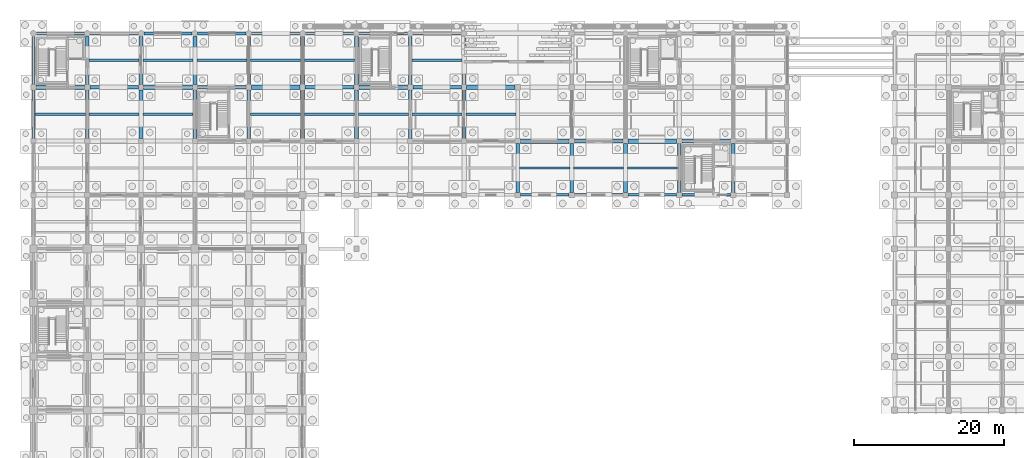
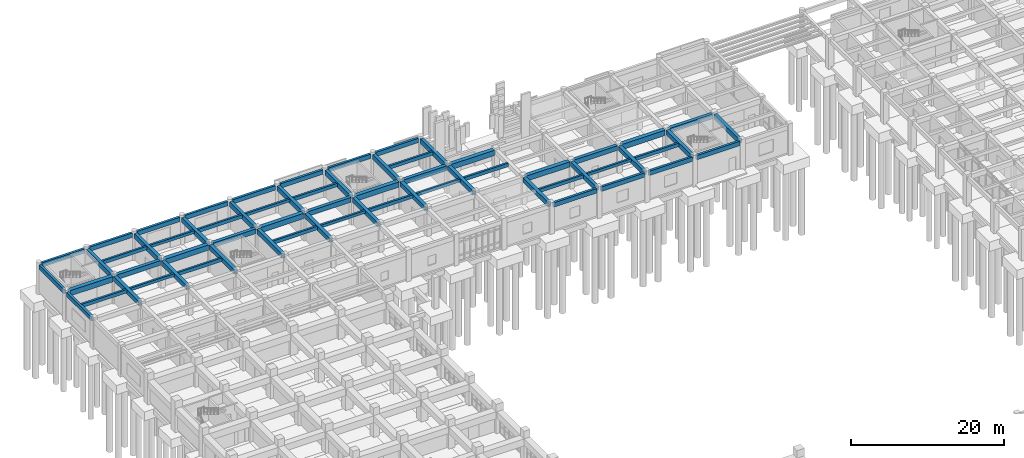
# One storey, part 30 of 79: 65 beams.
"""IFC4 building model written with IfcOpenShell, lengths in metres."""

from ifc_helpers import new_model, si_unit, direction, frame, origin, origin_2d, place, context, subcontext, project, spatial, rectangle, extrude, material, material_profile, profile_set, type_object, element, save


model = new_model("IFC4")

# Units and contexts
model_context = context("Model", 3, precision=1e-05, world=origin(), true_north=direction((0.0, 1.0)))
body_context = subcontext(model_context, "Body", "Model", "MODEL_VIEW")
ifc_project = project(units=[si_unit("LENGTHUNIT", "METRE"), si_unit("AREAUNIT", "SQUARE_METRE"), si_unit("VOLUMEUNIT", "CUBIC_METRE"), si_unit("PLANEANGLEUNIT", "RADIAN"), si_unit("MASSUNIT", "GRAM", prefix="KILO")], contexts=[model_context])

# Site, building, storey
site_placement = place(None, origin())
site = spatial("IfcSite", under=ifc_project, at=site_placement, CompositionType="ELEMENT")
building_placement = place(site_placement, origin())
building = spatial("IfcBuilding", under=site, at=building_placement, Name="Kavelor Marine Aquarium", CompositionType="ELEMENT")
storey_placement = place(building_placement, origin())
storey = spatial("IfcBuildingStorey", under=building, at=storey_placement, Name="L00", CompositionType="ELEMENT", Elevation=0.0)

# Beams
ifc_material_1 = material(Name="Concrete C40/50", Category="concrete")
ifc_material_profile_1 = material_profile(ifc_material_1, rectangle(XDim=0.60009765625, YDim=0.85009765625, at=origin_2d()), Name="RC-BM 600x850")
ifc_profile_set_1 = profile_set([ifc_material_profile_1], Name="Concrete C40/50")
beam_type_1 = type_object("IfcBeamType", Name="BM-B1", PredefinedType="BEAM", material=ifc_profile_set_1)
for number, where, z_axis, x_axis, name in (
    (1, (3.550048828125, 103.60009765625, 3.955078125), (1.0, 0.0, 0.0), (0.0, 1.0, 0.0), "bm:x:L00:L01:00_14"),
    (2, (17.949951171875, 103.60009765625, 3.955078125), (1.0, 0.0, 0.0), (0.0, 1.0, 0.0), "bm:x:L00:L01:02_14"),
    (3, (32.35009765625, 103.60009765625, 3.955078125), (1.0, 0.0, 0.0), (0.0, 1.0, 0.0), "bm:x:L00:L01:04_14"),
    (4, (46.75, 103.60009765625, 3.955078125), (1.0, 0.0, 0.0), (0.0, 1.0, 0.0), "bm:x:L00:L01:06_14"),
    (5, (61.14990234375, 103.60009765625, 3.955078125), (1.0, 0.0, 0.0), (0.0, 1.0, 0.0), "bm:x:L00:L01:08_14"),
    (6, (68.35009765625, 96.39990234375, 3.955078125), (1.0, 0.0, 0.0), (0.0, 1.0, 0.0), "bm:x:L00:L01:09_13"),
    (7, (82.75, 96.39990234375, 3.955078125), (1.0, 0.0, 0.0), (0.0, 1.0, 0.0), "bm:x:L00:L01:11_13"),
):
    element("IfcBeam", number, at=place(storey_placement, frame(where, z_axis=z_axis, x_axis=x_axis)), inside=storey, type_object=beam_type_1, Name=name, PredefinedType="BEAM", context=body_context, shape_type="SweptSolid", body=[
        extrude(rectangle(XDim=0.60009765625, YDim=0.85009765625, at=origin_2d()), origin(), (0.0, 0.0, 1.0), 6.5),
    ])
ifc_material_2 = material(Name="Concrete C40/50", Category="concrete")
ifc_material_profile_2 = material_profile(ifc_material_2, rectangle(XDim=0.5, YDim=0.75, at=origin_2d()), Name="RC-BM 500x750")
ifc_profile_set_2 = profile_set([ifc_material_profile_2], Name="Concrete C40/50")
beam_type_2 = type_object("IfcBeamType", Name="BM-B2", PredefinedType="BEAM", material=ifc_profile_set_2)
for number, where, z_axis, x_axis, name in (
    (8, (10.75, 103.60009765625, 4.0048828125), (1.0, 0.0, 0.0), (0.0, 1.0, 0.0), "bm:x:L00:L01:01_14"),
    (9, (25.14990234375, 103.60009765625, 4.0048828125), (1.0, 0.0, 0.0), (0.0, 1.0, 0.0), "bm:x:L00:L01:03_14"),
    (10, (39.550048828125, 103.60009765625, 4.0048828125), (1.0, 0.0, 0.0), (0.0, 1.0, 0.0), "bm:x:L00:L01:05_14"),
    (11, (53.949951171875, 103.60009765625, 4.0048828125), (1.0, 0.0, 0.0), (0.0, 1.0, 0.0), "bm:x:L00:L01:07_14"),
    (12, (75.550048828125, 96.39990234375, 4.0048828125), (1.0, 0.0, 0.0), (0.0, 1.0, 0.0), "bm:x:L00:L01:10_13"),
    (13, (89.949951171875, 96.39990234375, 4.0048828125), (1.0, 0.0, 0.0), (0.0, 1.0, 0.0), "bm:x:L00:L01:12_13"),
    (14, (10.39990234375, 96.75, 4.0048828125), (0.0, 1.0, 0.0), (-1.0, 0.0, 0.0), "bm:y:L00:L01:01_13"),
):
    element("IfcBeam", number, at=place(storey_placement, frame(where, z_axis=z_axis, x_axis=x_axis)), inside=storey, type_object=beam_type_2, Name=name, PredefinedType="BEAM", context=body_context, shape_type="SweptSolid", body=[
        extrude(rectangle(XDim=0.5, YDim=0.75, at=origin_2d()), origin(), (0.0, 0.0, 1.0), 6.5),
    ])
beam_1_placement = place(storey_placement, frame((10.39990234375, 103.949951171875, 4.0048828125), z_axis=(0.0, 1.0, 0.0), x_axis=(-1.0, 0.0, 0.0)))
element("IfcBeam", 15, at=beam_1_placement, inside=storey, type_object=beam_type_2, Name="bm:y:L00:L01:01_14", PredefinedType="BEAM", context=body_context, shape_type="SweptSolid", body=[
    extrude(rectangle(XDim=0.5, YDim=0.75, at=origin_2d()), origin(), (0.0, 0.0, 1.0), 6.47509765625),
])
beam_2_placement = place(storey_placement, frame((17.60009765625, 96.75, 4.0048828125), z_axis=(0.0, 1.0, 0.0), x_axis=(-1.0, 0.0, 0.0)))
element("IfcBeam", 16, at=beam_2_placement, inside=storey, type_object=beam_type_2, Name="bm:y:L00:L01:02_13", PredefinedType="BEAM", context=body_context, shape_type="SweptSolid", body=[
    extrude(rectangle(XDim=0.5, YDim=0.75, at=origin_2d()), origin(), (0.0, 0.0, 1.0), 6.5),
])
beam_3_placement = place(storey_placement, frame((17.60009765625, 103.949951171875, 4.0048828125), z_axis=(0.0, 1.0, 0.0), x_axis=(-1.0, 0.0, 0.0)))
element("IfcBeam", 17, at=beam_3_placement, inside=storey, type_object=beam_type_2, Name="bm:y:L00:L01:02_14", PredefinedType="BEAM", context=body_context, shape_type="SweptSolid", body=[
    extrude(rectangle(XDim=0.5, YDim=0.75, at=origin_2d()), origin(), (0.0, 0.0, 1.0), 6.47509765625),
])
beam_4_placement = place(storey_placement, frame((24.800048828125, 96.75, 4.0048828125), z_axis=(0.0, 1.0, 0.0), x_axis=(-1.0, 0.0, 0.0)))
element("IfcBeam", 18, at=beam_4_placement, inside=storey, type_object=beam_type_2, Name="bm:y:L00:L01:03_13", PredefinedType="BEAM", context=body_context, shape_type="SweptSolid", body=[
    extrude(rectangle(XDim=0.5, YDim=0.75, at=origin_2d()), origin(), (0.0, 0.0, 1.0), 6.5),
])
beam_5_placement = place(storey_placement, frame((24.800048828125, 103.949951171875, 4.0048828125), z_axis=(0.0, 1.0, 0.0), x_axis=(-1.0, 0.0, 0.0)))
element("IfcBeam", 19, at=beam_5_placement, inside=storey, type_object=beam_type_2, Name="bm:y:L00:L01:03_14", PredefinedType="BEAM", context=body_context, shape_type="SweptSolid", body=[
    extrude(rectangle(XDim=0.5, YDim=0.75, at=origin_2d()), origin(), (0.0, 0.0, 1.0), 6.47509765625),
])
beam_6_placement = place(storey_placement, frame((32.0, 96.75, 4.0048828125), z_axis=(0.0, 1.0, 0.0), x_axis=(-1.0, 0.0, 0.0)))
element("IfcBeam", 20, at=beam_6_placement, inside=storey, type_object=beam_type_2, Name="bm:y:L00:L01:04_13", PredefinedType="BEAM", context=body_context, shape_type="SweptSolid", body=[
    extrude(rectangle(XDim=0.5, YDim=0.75, at=origin_2d()), origin(), (0.0, 0.0, 1.0), 6.5),
])
beam_7_placement = place(storey_placement, frame((32.0, 103.949951171875, 4.0048828125), z_axis=(0.0, 1.0, 0.0), x_axis=(-1.0, 0.0, 0.0)))
element("IfcBeam", 21, at=beam_7_placement, inside=storey, type_object=beam_type_2, Name="bm:y:L00:L01:04_14", PredefinedType="BEAM", context=body_context, shape_type="SweptSolid", body=[
    extrude(rectangle(XDim=0.5, YDim=0.75, at=origin_2d()), origin(), (0.0, 0.0, 1.0), 6.47509765625),
])
beam_8_placement = place(storey_placement, frame((39.199951171875, 96.75, 4.0048828125), z_axis=(0.0, 1.0, 0.0), x_axis=(-1.0, 0.0, 0.0)))
element("IfcBeam", 22, at=beam_8_placement, inside=storey, type_object=beam_type_2, Name="bm:y:L00:L01:05_13", PredefinedType="BEAM", context=body_context, shape_type="SweptSolid", body=[
    extrude(rectangle(XDim=0.5, YDim=0.75, at=origin_2d()), origin(), (0.0, 0.0, 1.0), 6.5),
])
beam_9_placement = place(storey_placement, frame((39.199951171875, 103.949951171875, 4.0048828125), z_axis=(0.0, 1.0, 0.0), x_axis=(-1.0, 0.0, 0.0)))
element("IfcBeam", 23, at=beam_9_placement, inside=storey, type_object=beam_type_2, Name="bm:y:L00:L01:05_14", PredefinedType="BEAM", context=body_context, shape_type="SweptSolid", body=[
    extrude(rectangle(XDim=0.5, YDim=0.75, at=origin_2d()), origin(), (0.0, 0.0, 1.0), 6.47509765625),
])
beam_10_placement = place(storey_placement, frame((46.39990234375, 96.75, 4.0048828125), z_axis=(0.0, 1.0, 0.0), x_axis=(-1.0, 0.0, 0.0)))
element("IfcBeam", 24, at=beam_10_placement, inside=storey, type_object=beam_type_2, Name="bm:y:L00:L01:06_13", PredefinedType="BEAM", context=body_context, shape_type="SweptSolid", body=[
    extrude(rectangle(XDim=0.5, YDim=0.75, at=origin_2d()), origin(), (0.0, 0.0, 1.0), 6.5),
])
beam_11_placement = place(storey_placement, frame((46.39990234375, 103.949951171875, 4.0048828125), z_axis=(0.0, 1.0, 0.0), x_axis=(-1.0, 0.0, 0.0)))
element("IfcBeam", 25, at=beam_11_placement, inside=storey, type_object=beam_type_2, Name="bm:y:L00:L01:06_14", PredefinedType="BEAM", context=body_context, shape_type="SweptSolid", body=[
    extrude(rectangle(XDim=0.5, YDim=0.75, at=origin_2d()), origin(), (0.0, 0.0, 1.0), 6.47509765625),
])
beam_12_placement = place(storey_placement, frame((53.60009765625, 96.75, 4.0048828125), z_axis=(0.0, 1.0, 0.0), x_axis=(-1.0, 0.0, 0.0)))
element("IfcBeam", 26, at=beam_12_placement, inside=storey, type_object=beam_type_2, Name="bm:y:L00:L01:07_13", PredefinedType="BEAM", context=body_context, shape_type="SweptSolid", body=[
    extrude(rectangle(XDim=0.5, YDim=0.75, at=origin_2d()), origin(), (0.0, 0.0, 1.0), 6.5),
])
beam_13_placement = place(storey_placement, frame((53.60009765625, 103.949951171875, 4.0048828125), z_axis=(0.0, 1.0, 0.0), x_axis=(-1.0, 0.0, 0.0)))
element("IfcBeam", 27, at=beam_13_placement, inside=storey, type_object=beam_type_2, Name="bm:y:L00:L01:07_14", PredefinedType="BEAM", context=body_context, shape_type="SweptSolid", body=[
    extrude(rectangle(XDim=0.5, YDim=0.75, at=origin_2d()), origin(), (0.0, 0.0, 1.0), 6.47509765625),
])
beam_14_placement = place(storey_placement, frame((60.800048828125, 96.75, 4.0048828125), z_axis=(0.0, 1.0, 0.0), x_axis=(-1.0, 0.0, 0.0)))
element("IfcBeam", 28, at=beam_14_placement, inside=storey, type_object=beam_type_2, Name="bm:y:L00:L01:08_13", PredefinedType="BEAM", context=body_context, shape_type="SweptSolid", body=[
    extrude(rectangle(XDim=0.5, YDim=0.75, at=origin_2d()), origin(), (0.0, 0.0, 1.0), 6.5),
])
beam_15_placement = place(storey_placement, frame((60.800048828125, 103.949951171875, 4.0048828125), z_axis=(0.0, 1.0, 0.0), x_axis=(-1.0, 0.0, 0.0)))
element("IfcBeam", 29, at=beam_15_placement, inside=storey, type_object=beam_type_2, Name="bm:y:L00:L01:08_14", PredefinedType="BEAM", context=body_context, shape_type="SweptSolid", body=[
    extrude(rectangle(XDim=0.5, YDim=0.75, at=origin_2d()), origin(), (0.0, 0.0, 1.0), 6.47509765625),
])
for number, where, z_axis, x_axis, name in (
    (30, (68.0, 89.550048828125, 4.0048828125), (0.0, 1.0, 0.0), (-1.0, 0.0, 0.0), "bm:y:L00:L01:09_12"),
    (31, (75.199951171875, 89.550048828125, 4.0048828125), (0.0, 1.0, 0.0), (-1.0, 0.0, 0.0), "bm:y:L00:L01:10_12"),
    (32, (82.39990234375, 89.550048828125, 4.0048828125), (0.0, 1.0, 0.0), (-1.0, 0.0, 0.0), "bm:y:L00:L01:11_12"),
    (33, (89.60009765625, 89.550048828125, 4.0048828125), (0.0, 1.0, 0.0), (-1.0, 0.0, 0.0), "bm:y:L00:L01:12_12"),
    (34, (96.800048828125, 89.550048828125, 4.0048828125), (0.0, 1.0, 0.0), (-1.0, 0.0, 0.0), "bm:y:L00:L01:13_12"),
):
    element("IfcBeam", number, at=place(storey_placement, frame(where, z_axis=z_axis, x_axis=x_axis)), inside=storey, type_object=beam_type_2, Name=name, PredefinedType="BEAM", context=body_context, shape_type="SweptSolid", body=[
        extrude(rectangle(XDim=0.5, YDim=0.75, at=origin_2d()), origin(), (0.0, 0.0, 1.0), 6.5),
    ])
ifc_material_3 = material(Name="Concrete C40/50", Category="concrete")
ifc_material_profile_3 = material_profile(ifc_material_3, rectangle(XDim=0.300048828125, YDim=0.449951171875, at=origin_2d()), Name="RC-JS 300x450")
ifc_profile_set_3 = profile_set([ifc_material_profile_3], Name="Concrete C40/50")
beam_type_3 = type_object("IfcBeamType", Name="BM-JS1", PredefinedType="JOIST", material=ifc_profile_set_3)
beam_16_placement = place(storey_placement, frame((10.64990234375, 100.0, 4.155029296875), z_axis=(1.0, 0.0, 0.0), x_axis=(0.0, 1.0, 0.0)))
element("IfcBeam", 35, at=beam_16_placement, inside=storey, type_object=beam_type_3, Name="js:L00:L01:01_13", PredefinedType="JOIST", context=body_context, shape_type="SweptSolid", body=[
    extrude(rectangle(XDim=0.300048828125, YDim=0.449951171875, at=origin_2d()), origin(), (0.0, 0.0, 1.0), 6.7001953125),
])
for number, where, z_axis, x_axis, name in (
    (36, (17.85009765625, 107.199951171875, 4.155029296875), (1.0, 0.0, 0.0), (0.0, 1.0, 0.0), "js:L00:L01:02_14"),
    (37, (32.25, 107.199951171875, 4.155029296875), (1.0, 0.0, 0.0), (0.0, 1.0, 0.0), "js:L00:L01:04_14"),
    (38, (39.449951171875, 100.0, 4.155029296875), (1.0, 0.0, 0.0), (0.0, 1.0, 0.0), "js:L00:L01:05_13"),
    (39, (53.85009765625, 100.0, 4.155029296875), (1.0, 0.0, 0.0), (0.0, 1.0, 0.0), "js:L00:L01:07_13"),
    (40, (75.449951171875, 92.800048828125, 4.155029296875), (1.0, 0.0, 0.0), (0.0, 1.0, 0.0), "js:L00:L01:10_12"),
):
    element("IfcBeam", number, at=place(storey_placement, frame(where, z_axis=z_axis, x_axis=x_axis)), inside=storey, type_object=beam_type_3, Name=name, PredefinedType="JOIST", context=body_context, shape_type="SweptSolid", body=[
        extrude(rectangle(XDim=0.300048828125, YDim=0.449951171875, at=origin_2d()), origin(), (0.0, 0.0, 1.0), 6.699951171875),
    ])
ifc_material_4 = material(Name="Concrete C40/50", Category="concrete")
ifc_material_profile_4 = material_profile(ifc_material_4, rectangle(XDim=0.300048828125, YDim=0.550048828125, at=origin_2d()), Name="RC-JS 300x550")
ifc_profile_set_4 = profile_set([ifc_material_profile_4], Name="Concrete C40/50")
beam_type_4 = type_object("IfcBeamType", Name="BM-JS2", PredefinedType="JOIST", material=ifc_profile_set_4)
beam_17_placement = place(storey_placement, frame((3.375, 100.0, 4.10498046875), z_axis=(1.0, 0.0, 0.0), x_axis=(0.0, 1.0, 0.0)))
element("IfcBeam", 41, at=beam_17_placement, inside=storey, type_object=beam_type_4, Name="js:L00:L01:00_13", PredefinedType="JOIST", context=body_context, shape_type="SweptSolid", body=[
    extrude(rectangle(XDim=0.300048828125, YDim=0.550048828125, at=origin_2d()), origin(), (0.0, 0.0, 1.0), 6.77490234375),
])
beam_18_placement = place(storey_placement, frame((10.64990234375, 107.199951171875, 4.10498046875), z_axis=(1.0, 0.0, 0.0), x_axis=(0.0, 1.0, 0.0)))
element("IfcBeam", 42, at=beam_18_placement, inside=storey, type_object=beam_type_4, Name="js:L00:L01:01_14", PredefinedType="JOIST", context=body_context, shape_type="SweptSolid", body=[
    extrude(rectangle(XDim=0.300048828125, YDim=0.550048828125, at=origin_2d()), origin(), (0.0, 0.0, 1.0), 6.7001953125),
])
for number, where, z_axis, x_axis, name in (
    (43, (17.85009765625, 100.0, 4.10498046875), (1.0, 0.0, 0.0), (0.0, 1.0, 0.0), "js:L00:L01:02_13"),
    (44, (25.050048828125, 107.199951171875, 4.10498046875), (1.0, 0.0, 0.0), (0.0, 1.0, 0.0), "js:L00:L01:03_14"),
    (45, (32.25, 100.0, 4.10498046875), (1.0, 0.0, 0.0), (0.0, 1.0, 0.0), "js:L00:L01:04_13"),
    (46, (39.449951171875, 107.199951171875, 4.10498046875), (1.0, 0.0, 0.0), (0.0, 1.0, 0.0), "js:L00:L01:05_14"),
):
    element("IfcBeam", number, at=place(storey_placement, frame(where, z_axis=z_axis, x_axis=x_axis)), inside=storey, type_object=beam_type_4, Name=name, PredefinedType="JOIST", context=body_context, shape_type="SweptSolid", body=[
        extrude(rectangle(XDim=0.300048828125, YDim=0.550048828125, at=origin_2d()), origin(), (0.0, 0.0, 1.0), 6.699951171875),
    ])
beam_19_placement = place(storey_placement, frame((46.64990234375, 100.0, 4.10498046875), z_axis=(1.0, 0.0, 0.0), x_axis=(0.0, 1.0, 0.0)))
element("IfcBeam", 47, at=beam_19_placement, inside=storey, type_object=beam_type_4, Name="js:L00:L01:06_13", PredefinedType="JOIST", context=body_context, shape_type="SweptSolid", body=[
    extrude(rectangle(XDim=0.300048828125, YDim=0.550048828125, at=origin_2d()), origin(), (0.0, 0.0, 1.0), 6.7001953125),
])
for number, where, z_axis, x_axis, name in (
    (48, (53.85009765625, 107.199951171875, 4.10498046875), (1.0, 0.0, 0.0), (0.0, 1.0, 0.0), "js:L00:L01:07_14"),
    (49, (61.050048828125, 100.0, 4.10498046875), (1.0, 0.0, 0.0), (0.0, 1.0, 0.0), "js:L00:L01:08_13"),
    (50, (68.25, 92.800048828125, 4.10498046875), (1.0, 0.0, 0.0), (0.0, 1.0, 0.0), "js:L00:L01:09_12"),
):
    element("IfcBeam", number, at=place(storey_placement, frame(where, z_axis=z_axis, x_axis=x_axis)), inside=storey, type_object=beam_type_4, Name=name, PredefinedType="JOIST", context=body_context, shape_type="SweptSolid", body=[
        extrude(rectangle(XDim=0.300048828125, YDim=0.550048828125, at=origin_2d()), origin(), (0.0, 0.0, 1.0), 6.699951171875),
    ])
beam_20_placement = place(storey_placement, frame((82.64990234375, 92.800048828125, 4.10498046875), z_axis=(1.0, 0.0, 0.0), x_axis=(0.0, 1.0, 0.0)))
element("IfcBeam", 51, at=beam_20_placement, inside=storey, type_object=beam_type_4, Name="js:L00:L01:11_12", PredefinedType="JOIST", context=body_context, shape_type="SweptSolid", body=[
    extrude(rectangle(XDim=0.300048828125, YDim=0.550048828125, at=origin_2d()), origin(), (0.0, 0.0, 1.0), 6.7001953125),
])
ifc_material_5 = material(Name="Concrete C40/50", Category="concrete")
ifc_material_profile_5 = material_profile(ifc_material_5, rectangle(XDim=0.35009765625, YDim=0.699951171875, at=origin_2d()), Name="RC-SP 350x700")
ifc_profile_set_5 = profile_set([ifc_material_profile_5], Name="Concrete C40/50")
beam_type_5 = type_object("IfcBeamType", Name="BM-SP1", PredefinedType="SPANDREL", material=ifc_profile_set_5)
beam_21_placement = place(storey_placement, frame((3.574951171875, 110.800048828125, 4.030029296875), z_axis=(1.0, 0.0, 0.0), x_axis=(0.0, 1.0, 0.0)))
element("IfcBeam", 52, at=beam_21_placement, inside=storey, type_object=beam_type_5, Name="bm:x:L00:L01:00_15", PredefinedType="SPANDREL", context=body_context, shape_type="SweptSolid", body=[
    extrude(rectangle(XDim=0.35009765625, YDim=0.699951171875, at=origin_2d()), origin(), (0.0, 0.0, 1.0), 6.449951171875),
])
beam_22_placement = place(storey_placement, frame((10.77490234375, 110.800048828125, 4.030029296875), z_axis=(1.0, 0.0, 0.0), x_axis=(0.0, 1.0, 0.0)))
element("IfcBeam", 53, at=beam_22_placement, inside=storey, type_object=beam_type_5, Name="bm:x:L00:L01:01_15", PredefinedType="SPANDREL", context=body_context, shape_type="SweptSolid", body=[
    extrude(rectangle(XDim=0.35009765625, YDim=0.699951171875, at=origin_2d()), origin(), (0.0, 0.0, 1.0), 6.4501953125),
])
for number, where, z_axis, x_axis, name in (
    (54, (17.97509765625, 110.800048828125, 4.030029296875), (1.0, 0.0, 0.0), (0.0, 1.0, 0.0), "bm:x:L00:L01:02_15"),
    (55, (25.175048828125, 110.800048828125, 4.030029296875), (1.0, 0.0, 0.0), (0.0, 1.0, 0.0), "bm:x:L00:L01:03_15"),
    (56, (32.375, 110.800048828125, 4.030029296875), (1.0, 0.0, 0.0), (0.0, 1.0, 0.0), "bm:x:L00:L01:04_15"),
    (57, (39.574951171875, 110.800048828125, 4.030029296875), (1.0, 0.0, 0.0), (0.0, 1.0, 0.0), "bm:x:L00:L01:05_15"),
):
    element("IfcBeam", number, at=place(storey_placement, frame(where, z_axis=z_axis, x_axis=x_axis)), inside=storey, type_object=beam_type_5, Name=name, PredefinedType="SPANDREL", context=body_context, shape_type="SweptSolid", body=[
        extrude(rectangle(XDim=0.35009765625, YDim=0.699951171875, at=origin_2d()), origin(), (0.0, 0.0, 1.0), 6.449951171875),
    ])
beam_23_placement = place(storey_placement, frame((46.77490234375, 110.800048828125, 4.030029296875), z_axis=(1.0, 0.0, 0.0), x_axis=(0.0, 1.0, 0.0)))
element("IfcBeam", 58, at=beam_23_placement, inside=storey, type_object=beam_type_5, Name="bm:x:L00:L01:06_15", PredefinedType="SPANDREL", context=body_context, shape_type="SweptSolid", body=[
    extrude(rectangle(XDim=0.35009765625, YDim=0.699951171875, at=origin_2d()), origin(), (0.0, 0.0, 1.0), 6.4501953125),
])
beam_24_placement = place(storey_placement, frame((53.97509765625, 110.800048828125, 4.030029296875), z_axis=(1.0, 0.0, 0.0), x_axis=(0.0, 1.0, 0.0)))
element("IfcBeam", 59, at=beam_24_placement, inside=storey, type_object=beam_type_5, Name="bm:x:L00:L01:07_15", PredefinedType="SPANDREL", context=body_context, shape_type="SweptSolid", body=[
    extrude(rectangle(XDim=0.35009765625, YDim=0.699951171875, at=origin_2d()), origin(), (0.0, 0.0, 1.0), 6.449951171875),
])
for number, where, z_axis, x_axis, name in (
    (60, (68.35009765625, 89.199951171875, 4.030029296875), (1.0, 0.0, 0.0), (0.0, 1.0, 0.0), "bm:x:L00:L01:09_12"),
    (61, (75.550048828125, 89.199951171875, 4.030029296875), (1.0, 0.0, 0.0), (0.0, 1.0, 0.0), "bm:x:L00:L01:10_12"),
    (62, (82.75, 89.199951171875, 4.030029296875), (1.0, 0.0, 0.0), (0.0, 1.0, 0.0), "bm:x:L00:L01:11_12"),
    (63, (89.949951171875, 89.199951171875, 4.030029296875), (1.0, 0.0, 0.0), (0.0, 1.0, 0.0), "bm:x:L00:L01:12_12"),
    (64, (3.199951171875, 96.75, 4.030029296875), (0.0, 1.0, 0.0), (-1.0, 0.0, 0.0), "bm:y:L00:L01:00_13"),
):
    element("IfcBeam", number, at=place(storey_placement, frame(where, z_axis=z_axis, x_axis=x_axis)), inside=storey, type_object=beam_type_5, Name=name, PredefinedType="SPANDREL", context=body_context, shape_type="SweptSolid", body=[
        extrude(rectangle(XDim=0.35009765625, YDim=0.699951171875, at=origin_2d()), origin(), (0.0, 0.0, 1.0), 6.5),
    ])
beam_25_placement = place(storey_placement, frame((3.199951171875, 103.949951171875, 4.030029296875), z_axis=(0.0, 1.0, 0.0), x_axis=(-1.0, 0.0, 0.0)))
element("IfcBeam", 65, at=beam_25_placement, inside=storey, type_object=beam_type_5, Name="bm:y:L00:L01:00_14", PredefinedType="SPANDREL", context=body_context, shape_type="SweptSolid", body=[
    extrude(rectangle(XDim=0.35009765625, YDim=0.699951171875, at=origin_2d()), origin(), (0.0, 0.0, 1.0), 6.47509765625),
])

save(model, "model.ifc")
